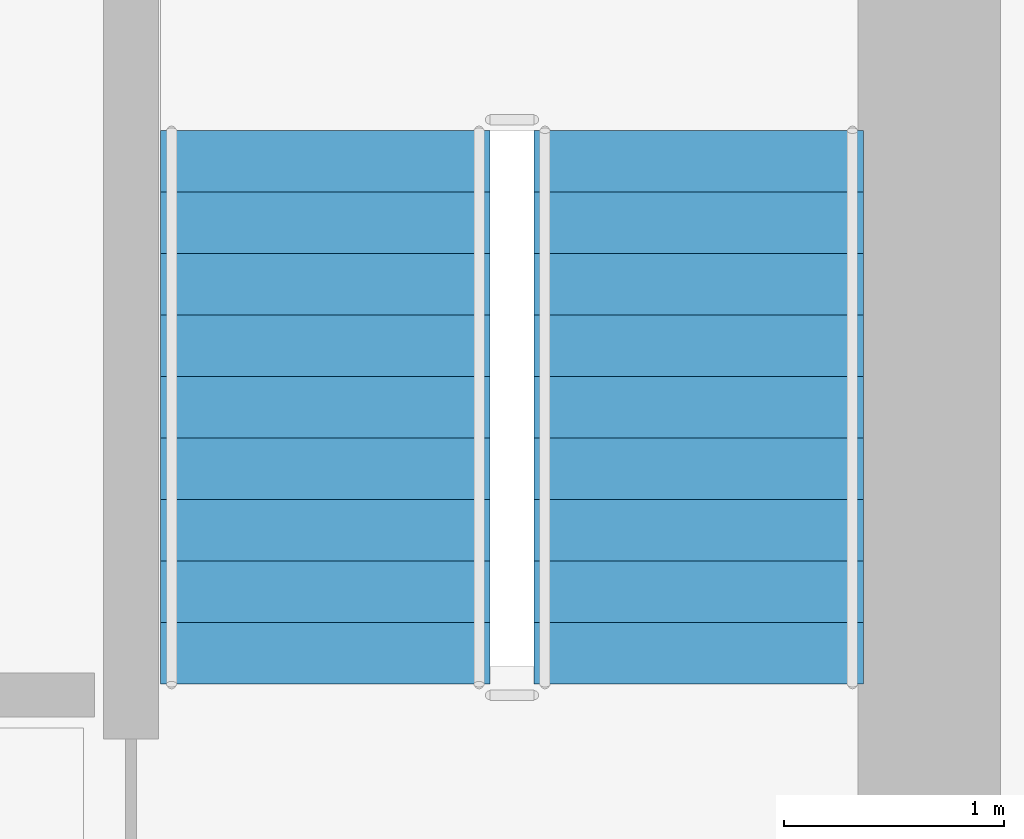
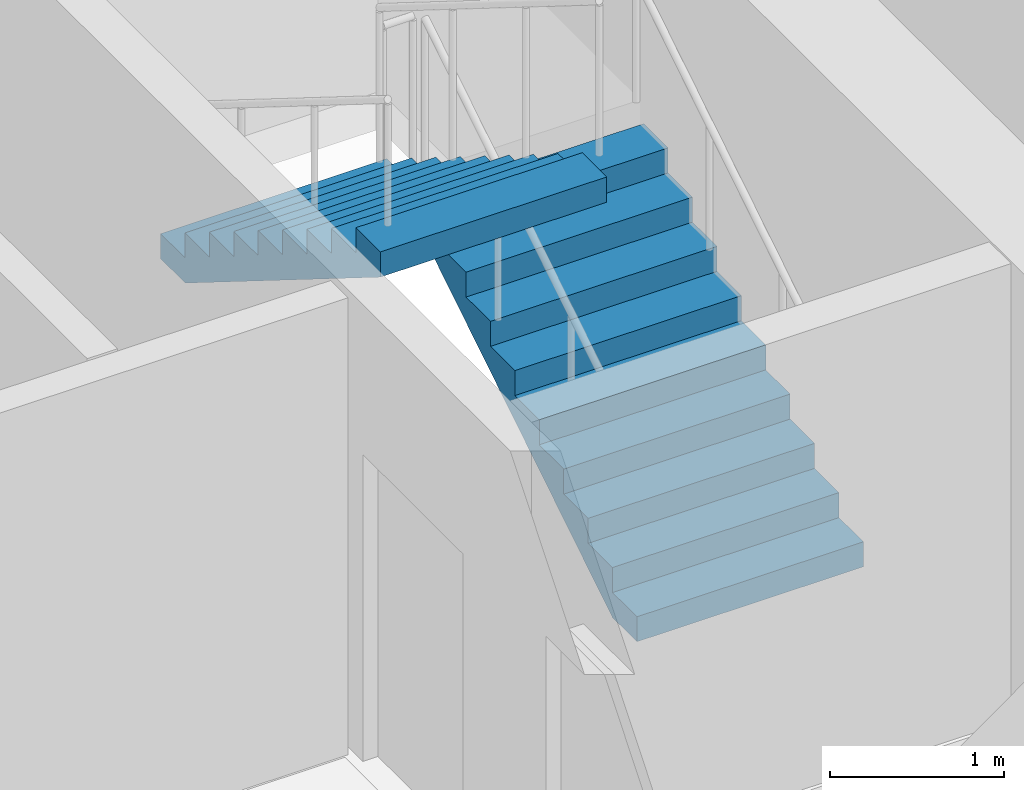
# One storey, part 6 of 10: 2 stair flights, 1 element without a shape of its own.
"""IFC4 building model written with IfcOpenShell, lengths in metres."""

import ifcopenshell
import ifcopenshell.guid

model = None  # the IFC model being written
_history = None  # IfcOwnerHistory: only IFC2X3 demands one
_inside = {}  # id of a spatial element -> (the spatial element, [elements in it])
_under = {}  # id of a project, library or spatial element -> (it, [spatial elements below it])
_declared = {}  # id of a project -> (the project, [libraries it declares])
_typed = {}  # id of a type object -> (the type object, [elements of that type])
_made_of = {}  # id of a material, layer set ... -> (it, [elements and type objects made of it])


def new_model(schema):
    """Start an empty IFC model of exactly this schema.

    Asked for "IFC4X3", IfcOpenShell would pick the latest addendum, in which some entities
    have other attributes; the version numbers below select the first issue.
    IFC2X3 requires an IfcOwnerHistory on every rooted entity: one is made here for all.
    """
    global model, _history
    if schema == "IFC4X3":
        model = ifcopenshell.file(schema_version=(4, 3, 0, 0))
    else:
        model = ifcopenshell.file(schema=schema)
    _inside.clear()
    _under.clear()
    _declared.clear()
    _typed.clear()
    _made_of.clear()
    _history = None
    if model.schema == "IFC2X3":
        org = make("IfcOrganization", Name="unknown")
        user = make(
            "IfcPersonAndOrganization",
            ThePerson=make("IfcPerson", FamilyName="unknown"),
            TheOrganization=org,
        )
        app = make(
            "IfcApplication",
            ApplicationDeveloper=org,
            Version="unknown",
            ApplicationFullName="unknown",
            ApplicationIdentifier="unknown",
        )
        _history = make(
            "IfcOwnerHistory",
            OwningUser=user,
            OwningApplication=app,
            ChangeAction="ADDED",
            CreationDate=0,
        )
    return model


def make(cls, **values):
    """One entity of the class cls with the attributes given. An attribute that is None is left unset."""
    return model.create_entity(
        cls, **{name: value for name, value in values.items() if value is not None}
    )


def rooted(cls, **values):
    """An entity with a GlobalId (a new one), such as an element, a storey or a relation."""
    return make(cls, GlobalId=ifcopenshell.guid.new(), OwnerHistory=_history, **values)


def si_unit(unit_type, name, prefix=None):
    """IfcSIUnit, for example si_unit("LENGTHUNIT", "METRE", prefix="MILLI")."""
    return make("IfcSIUnit", UnitType=unit_type, Prefix=prefix, Name=name)


def assignment(units):
    """IfcUnitAssignment: the units of a project."""
    return None if units is None else make("IfcUnitAssignment", Units=units)


def point(xyz):
    """IfcCartesianPoint."""
    return None if xyz is None else make("IfcCartesianPoint", Coordinates=xyz)


def direction(xyz):
    """IfcDirection."""
    return None if xyz is None else make("IfcDirection", DirectionRatios=xyz)


def frame(location, z_axis=None, x_axis=None):
    """IfcAxis2Placement3D, a coordinate frame: its origin and axes. An axis left out is left unset."""
    return make(
        "IfcAxis2Placement3D",
        Location=point(location),
        Axis=direction(z_axis),
        RefDirection=direction(x_axis),
    )


def origin():
    """The frame at (0, 0, 0) with its axes left unset."""
    return frame((0.0, 0.0, 0.0))


def place(relative_to, where):
    """IfcLocalPlacement: puts the frame where relative to a parent placement (None: the world)."""
    return make(
        "IfcLocalPlacement", PlacementRelTo=relative_to, RelativePlacement=where
    )


def context(
    kind, dimensions, precision=None, world=None, true_north=None, identifier=None
):
    """IfcGeometricRepresentationContext, for example the 3D "Model" context."""
    return make(
        "IfcGeometricRepresentationContext",
        ContextIdentifier=identifier,
        ContextType=kind,
        CoordinateSpaceDimension=dimensions,
        Precision=precision,
        WorldCoordinateSystem=world,
        TrueNorth=true_north,
    )


def subcontext(parent, identifier, kind, view, scale=None):
    """IfcGeometricRepresentationSubContext, for example "Body" below "Model"."""
    return make(
        "IfcGeometricRepresentationSubContext",
        ContextIdentifier=identifier,
        ContextType=kind,
        ParentContext=parent,
        TargetScale=scale,
        TargetView=view,
    )


def project(units=None, contexts=None):
    """IfcProject with its units and contexts."""
    return rooted(
        "IfcProject",
        Name="project",
        RepresentationContexts=contexts,
        UnitsInContext=assignment(units),
    )


def spatial(cls, under=None, at=None, **own):
    """A site, building, storey or space (cls), placed at a placement, below another one or the project."""
    s = rooted(cls, ObjectPlacement=at, **own)
    if under is not None:
        _under.setdefault(under.id(), (under, []))[1].append(s)
    return s


def polyline(points):
    """IfcPolyline through the points."""
    return make("IfcPolyline", Points=[point(p) for p in points])


def outline(outer, holes=None, kind="AREA"):
    """IfcArbitraryClosedProfileDef: a profile drawn as a closed curve; with holes, ...WithVoids."""
    if holes is None:
        return make("IfcArbitraryClosedProfileDef", ProfileType=kind, OuterCurve=outer)
    return make(
        "IfcArbitraryProfileDefWithVoids",
        ProfileType=kind,
        OuterCurve=outer,
        InnerCurves=holes,
    )


def extrude(swept, where, along, depth):
    """IfcExtrudedAreaSolid: the profile swept, set in the frame where, extruded along a direction by depth."""
    return make(
        "IfcExtrudedAreaSolid",
        SweptArea=swept,
        Position=where,
        ExtrudedDirection=direction(along),
        Depth=depth,
    )


def shape(context_of_items, identifier, shape_type, items):
    """IfcShapeRepresentation: the items that make up one representation, for example the "Body"."""
    return make(
        "IfcShapeRepresentation",
        ContextOfItems=context_of_items,
        RepresentationIdentifier=identifier,
        RepresentationType=shape_type,
        Items=items,
    )


def material(Name=None, Category=None):
    """IfcMaterial."""
    return make("IfcMaterial", Name=Name, Category=Category)


def made_of(thing, what):
    """Note that an element or type object is made of a material, layer set ...; save() writes the relation."""
    if what is not None:
        _made_of.setdefault(what.id(), (what, []))[1].append(thing)
    return thing


def type_object(cls, material=None, **own):
    """A type object (cls), such as IfcWallType, which elements share."""
    return made_of(rooted(cls, **own), material)


def element(
    cls,
    number,
    at=None,
    inside=None,
    cuts=None,
    type_object=None,
    material=None,
    context=None,
    identifier="Body",
    shape_type=None,
    held_by="IfcProductDefinitionShape",
    body=None,
    shapes=None,
    **own,
):
    """One element of the class cls, such as IfcWall. Its Tag is "e" and its number.

    at: its placement. inside: the storey or other place that contains it. cuts: it is an
    opening in that element (IfcRelVoidsElement). A single representation is given by context,
    identifier, shape_type and body (its items); several are given by shapes. held_by: the class
    of the entity that holds the representations. save() writes the other relations.
    """
    e = rooted(cls, Tag="e%d" % number, ObjectPlacement=at, **own)
    if body is not None:
        shapes = [shape(context, identifier, shape_type, body)]
    if shapes is not None:
        e.Representation = make(held_by, Representations=shapes)
    if inside is not None:
        _inside.setdefault(inside.id(), (inside, []))[1].append(e)
    if cuts is not None:
        rooted(
            "IfcRelVoidsElement", RelatingBuildingElement=cuts, RelatedOpeningElement=e
        )
    if type_object is not None:
        _typed.setdefault(type_object.id(), (type_object, []))[1].append(e)
    return made_of(e, material)


def aggregate(whole, parts):
    """IfcRelAggregates: a whole, such as a stair, and the parts it consists of."""
    return rooted("IfcRelAggregates", RelatingObject=whole, RelatedObjects=parts)


def save(model, path):
    """Write the relations noted so far, then the file.

    IfcRelAggregates (storeys below a building ...), IfcRelContainedInSpatialStructure (elements
    in a storey), IfcRelDefinesByType, IfcRelAssociatesMaterial and IfcRelDeclares: one each for
    every whole, place, type object, material and project.
    """
    for whole, parts in _under.values():
        aggregate(whole, parts)
    for where, things in _inside.values():
        rooted(
            "IfcRelContainedInSpatialStructure",
            RelatedElements=things,
            RelatingStructure=where,
        )
    for kind, things in _typed.values():
        rooted("IfcRelDefinesByType", RelatedObjects=things, RelatingType=kind)
    for what, things in _made_of.values():
        rooted("IfcRelAssociatesMaterial", RelatedObjects=things, RelatingMaterial=what)
    for by, libraries in _declared.values():
        rooted("IfcRelDeclares", RelatingContext=by, RelatedDefinitions=libraries)
    model.write(path)


model = new_model("IFC4")

# Units and contexts
model_context = context("Model", 3, precision=1e-05, world=origin(), true_north=direction((0.0, 1.0)))
body_context = subcontext(model_context, "Body", "Model", "MODEL_VIEW")
ifc_project = project(units=[si_unit("LENGTHUNIT", "METRE"), si_unit("AREAUNIT", "SQUARE_METRE"), si_unit("VOLUMEUNIT", "CUBIC_METRE"), si_unit("PLANEANGLEUNIT", "RADIAN"), si_unit("MASSUNIT", "GRAM", prefix="KILO")], contexts=[model_context])

# Site, building, storey
site_placement = place(None, origin())
site = spatial("IfcSite", under=ifc_project, at=site_placement, CompositionType="ELEMENT")
building_placement = place(site_placement, origin())
building = spatial("IfcBuilding", under=site, at=building_placement, Name="Kranthara Brick Stack", CompositionType="ELEMENT")
storey_placement = place(building_placement, frame((0.0, 0.0, 151.800048828125)))
storey = spatial("IfcBuildingStorey", under=building, at=storey_placement, Name="L38", CompositionType="ELEMENT", Elevation=151.800048828125)

# Stair, stair flights
ifc_material_1 = material(Name="Concrete C45/55", Category="concrete")
stair_type = type_object("IfcStairType", Name="ST-CORE-20R", PredefinedType="HALF_TURN_STAIR", material=ifc_material_1)
stair_placement = place(storey_placement, origin())
stair = element("IfcStair", 1, at=stair_placement, inside=storey, type_object=stair_type, Name="L38 East Core Protected Exit Stair ST02", PredefinedType="HALF_TURN_STAIR")
ifc_material_2 = material(Name="Concrete C45/55", Category="concrete")
stair_flight_type = type_object("IfcStairFlightType", Name="SFL-RC-20R", PredefinedType="STRAIGHT", material=ifc_material_2)
stair_flight_1_placement = place(storey_placement, frame((42.14990234375, 25.199951171875, 0.0), z_axis=(0.0, 0.0, 1.0), x_axis=(0.0, 1.0, 0.0)))
stair_flight_1 = element("IfcStairFlight", 2, at=stair_flight_1_placement, type_object=stair_flight_type, Name="ST02 flight 1", NumberOfRisers=10, NumberOfTreads=9, PredefinedType="STRAIGHT", RiserHeight=0.175, TreadLength=0.28, context=body_context, shape_type="SweptSolid", body=[
    extrude(outline(polyline([(0.0, 0.0), (0.0, 0.175048828125), (0.280029296875, 0.175048828125), (0.280029296875, 0.35009765625), (0.56005859375, 0.35009765625), (0.56005859375, 0.52490234375), (0.840087890625, 0.52490234375), (0.840087890625, 0.699951171875), (1.1201171875, 0.699951171875), (1.1201171875, 0.875), (1.39990234375, 0.875), (1.39990234375, 1.050048828125), (1.679931640625, 1.050048828125), (1.679931640625, 1.22509765625), (1.9599609375, 1.22509765625), (1.9599609375, 1.39990234375), (2.239990234375, 1.39990234375), (2.239990234375, 1.574951171875), (2.52001953125, 1.574951171875), (2.52001953125, 1.75), (2.52001953125, 1.398193359375), (0.28271484375, 0.0), (0.0, 0.0)])), frame((0.0, 0.75, 0.0), z_axis=(0.0, -1.0, 0.0), x_axis=(1.0, 0.0, 0.0)), (0.0, 0.0, 1.0), 1.5),
])
stair_flight_2_placement = place(storey_placement, frame((40.449951171875, 27.719970703125, 1.75), z_axis=(0.0, 0.0, 1.0), x_axis=(0.0, -1.0, 0.0)))
stair_flight_2 = element("IfcStairFlight", 3, at=stair_flight_2_placement, type_object=stair_flight_type, Name="ST02 flight 2", NumberOfRisers=10, NumberOfTreads=9, PredefinedType="STRAIGHT", RiserHeight=0.175, TreadLength=0.28, context=body_context, shape_type="SweptSolid", body=[
    extrude(outline(polyline([(0.0, 0.0), (0.0, 0.175048828125), (0.280029296875, 0.175048828125), (0.280029296875, 0.35009765625), (0.56005859375, 0.35009765625), (0.56005859375, 0.52490234375), (0.840087890625, 0.52490234375), (0.840087890625, 0.699951171875), (1.1201171875, 0.699951171875), (1.1201171875, 0.875), (1.39990234375, 0.875), (1.39990234375, 1.050048828125), (1.679931640625, 1.050048828125), (1.679931640625, 1.22509765625), (1.9599609375, 1.22509765625), (1.9599609375, 1.39990234375), (2.239990234375, 1.39990234375), (2.239990234375, 1.574951171875), (2.52001953125, 1.574951171875), (2.52001953125, 1.75), (2.52001953125, 1.398193359375), (0.28271484375, 0.0), (0.0, 0.0)])), frame((0.0, 0.75, 0.0), z_axis=(0.0, -1.0, 0.0), x_axis=(1.0, 0.0, 0.0)), (0.0, 0.0, 1.0), 1.5),
])
aggregate(stair, [stair_flight_1, stair_flight_2])

save(model, "model.ifc")
